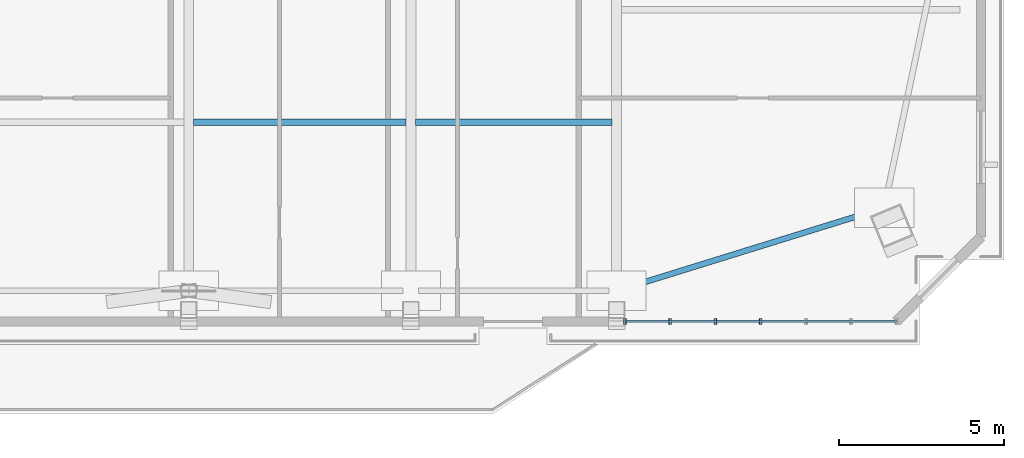
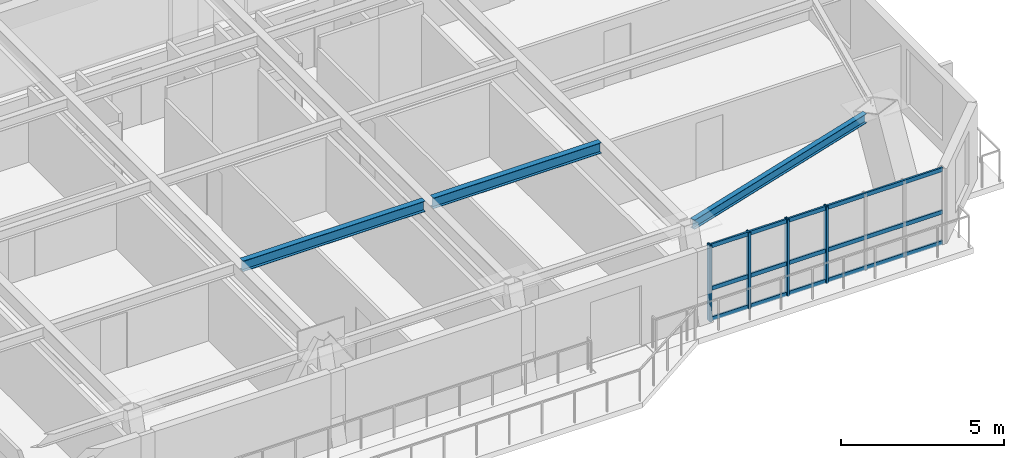
# One storey, part 4 of 18: 7 members, 3 beams, 1 element without a shape of its own.
"""IFC4 building model written with IfcOpenShell, lengths in metres."""

import ifcopenshell
import ifcopenshell.guid

model = None  # the IFC model being written
_history = None  # IfcOwnerHistory: only IFC2X3 demands one
_inside = {}  # id of a spatial element -> (the spatial element, [elements in it])
_under = {}  # id of a project, library or spatial element -> (it, [spatial elements below it])
_declared = {}  # id of a project -> (the project, [libraries it declares])
_typed = {}  # id of a type object -> (the type object, [elements of that type])
_made_of = {}  # id of a material, layer set ... -> (it, [elements and type objects made of it])


def new_model(schema):
    """Start an empty IFC model of exactly this schema.

    Asked for "IFC4X3", IfcOpenShell would pick the latest addendum, in which some entities
    have other attributes; the version numbers below select the first issue.
    IFC2X3 requires an IfcOwnerHistory on every rooted entity: one is made here for all.
    """
    global model, _history
    if schema == "IFC4X3":
        model = ifcopenshell.file(schema_version=(4, 3, 0, 0))
    else:
        model = ifcopenshell.file(schema=schema)
    _inside.clear()
    _under.clear()
    _declared.clear()
    _typed.clear()
    _made_of.clear()
    _history = None
    if model.schema == "IFC2X3":
        org = make("IfcOrganization", Name="unknown")
        user = make(
            "IfcPersonAndOrganization",
            ThePerson=make("IfcPerson", FamilyName="unknown"),
            TheOrganization=org,
        )
        app = make(
            "IfcApplication",
            ApplicationDeveloper=org,
            Version="unknown",
            ApplicationFullName="unknown",
            ApplicationIdentifier="unknown",
        )
        _history = make(
            "IfcOwnerHistory",
            OwningUser=user,
            OwningApplication=app,
            ChangeAction="ADDED",
            CreationDate=0,
        )
    return model


def make(cls, **values):
    """One entity of the class cls with the attributes given. An attribute that is None is left unset."""
    return model.create_entity(
        cls, **{name: value for name, value in values.items() if value is not None}
    )


def rooted(cls, **values):
    """An entity with a GlobalId (a new one), such as an element, a storey or a relation."""
    return make(cls, GlobalId=ifcopenshell.guid.new(), OwnerHistory=_history, **values)


def si_unit(unit_type, name, prefix=None):
    """IfcSIUnit, for example si_unit("LENGTHUNIT", "METRE", prefix="MILLI")."""
    return make("IfcSIUnit", UnitType=unit_type, Prefix=prefix, Name=name)


def assignment(units):
    """IfcUnitAssignment: the units of a project."""
    return None if units is None else make("IfcUnitAssignment", Units=units)


def point(xyz):
    """IfcCartesianPoint."""
    return None if xyz is None else make("IfcCartesianPoint", Coordinates=xyz)


def direction(xyz):
    """IfcDirection."""
    return None if xyz is None else make("IfcDirection", DirectionRatios=xyz)


def frame(location, z_axis=None, x_axis=None):
    """IfcAxis2Placement3D, a coordinate frame: its origin and axes. An axis left out is left unset."""
    return make(
        "IfcAxis2Placement3D",
        Location=point(location),
        Axis=direction(z_axis),
        RefDirection=direction(x_axis),
    )


def frame_2d(location, x_axis=None):
    """IfcAxis2Placement2D, a coordinate frame in the plane: its origin and x axis."""
    return make(
        "IfcAxis2Placement2D", Location=point(location), RefDirection=direction(x_axis)
    )


def origin():
    """The frame at (0, 0, 0) with its axes left unset."""
    return frame((0.0, 0.0, 0.0))


def origin_2d():
    """The frame at (0, 0) in the plane with its x axis left unset."""
    return frame_2d((0.0, 0.0))


def place(relative_to, where):
    """IfcLocalPlacement: puts the frame where relative to a parent placement (None: the world)."""
    return make(
        "IfcLocalPlacement", PlacementRelTo=relative_to, RelativePlacement=where
    )


def context(
    kind, dimensions, precision=None, world=None, true_north=None, identifier=None
):
    """IfcGeometricRepresentationContext, for example the 3D "Model" context."""
    return make(
        "IfcGeometricRepresentationContext",
        ContextIdentifier=identifier,
        ContextType=kind,
        CoordinateSpaceDimension=dimensions,
        Precision=precision,
        WorldCoordinateSystem=world,
        TrueNorth=true_north,
    )


def subcontext(parent, identifier, kind, view, scale=None):
    """IfcGeometricRepresentationSubContext, for example "Body" below "Model"."""
    return make(
        "IfcGeometricRepresentationSubContext",
        ContextIdentifier=identifier,
        ContextType=kind,
        ParentContext=parent,
        TargetScale=scale,
        TargetView=view,
    )


def project(units=None, contexts=None):
    """IfcProject with its units and contexts."""
    return rooted(
        "IfcProject",
        Name="project",
        RepresentationContexts=contexts,
        UnitsInContext=assignment(units),
    )


def spatial(cls, under=None, at=None, **own):
    """A site, building, storey or space (cls), placed at a placement, below another one or the project."""
    s = rooted(cls, ObjectPlacement=at, **own)
    if under is not None:
        _under.setdefault(under.id(), (under, []))[1].append(s)
    return s


def profile(cls, at=None, kind="AREA", **sizes):
    """A parametric profile (cls). Its sizes go by their IFC names, for example OverallWidth=200.0."""
    return make(cls, ProfileType=kind, Position=at, **sizes)


def hollow_rectangle(**sizes):
    """IfcRectangleHollowProfileDef."""
    return profile("IfcRectangleHollowProfileDef", **sizes)


def i_section(**sizes):
    """IfcIShapeProfileDef."""
    return profile("IfcIShapeProfileDef", **sizes)


def extrude(swept, where, along, depth):
    """IfcExtrudedAreaSolid: the profile swept, set in the frame where, extruded along a direction by depth."""
    return make(
        "IfcExtrudedAreaSolid",
        SweptArea=swept,
        Position=where,
        ExtrudedDirection=direction(along),
        Depth=depth,
    )


def shape(context_of_items, identifier, shape_type, items):
    """IfcShapeRepresentation: the items that make up one representation, for example the "Body"."""
    return make(
        "IfcShapeRepresentation",
        ContextOfItems=context_of_items,
        RepresentationIdentifier=identifier,
        RepresentationType=shape_type,
        Items=items,
    )


def source(mapping_origin, context_of_items, identifier, shape_type, items):
    """IfcRepresentationMap: a shape defined once, which mapped items show again and again."""
    return make(
        "IfcRepresentationMap",
        MappingOrigin=mapping_origin,
        MappedRepresentation=shape(context_of_items, identifier, shape_type, items),
    )


def transform(
    local_origin,
    x_axis=None,
    y_axis=None,
    z_axis=None,
    scale=None,
    scale2=None,
    scale3=None,
    uniform=True,
):
    """IfcCartesianTransformationOperator3D, or its non-uniform kind. x_axis, y_axis, z_axis: its Axis1, 2, 3."""
    if uniform:
        return make(
            "IfcCartesianTransformationOperator3D",
            Axis1=direction(x_axis),
            Axis2=direction(y_axis),
            LocalOrigin=point(local_origin),
            Scale=scale,
            Axis3=direction(z_axis),
        )
    return make(
        "IfcCartesianTransformationOperator3DnonUniform",
        Axis1=direction(x_axis),
        Axis2=direction(y_axis),
        LocalOrigin=point(local_origin),
        Scale=scale,
        Axis3=direction(z_axis),
        Scale2=scale2,
        Scale3=scale3,
    )


def mapped(mapping_source, mapping_target):
    """IfcMappedItem: shows the shape of a source again, moved by a transform."""
    return make(
        "IfcMappedItem", MappingSource=mapping_source, MappingTarget=mapping_target
    )


def material(Name=None, Category=None):
    """IfcMaterial."""
    return make("IfcMaterial", Name=Name, Category=Category)


def layer(
    of_material, thickness, ventilated=None, Name=None, Category=None, Priority=None
):
    """IfcMaterialLayer: one layer of a wall or slab, of a material (None: an air gap)."""
    return make(
        "IfcMaterialLayer",
        Material=of_material,
        LayerThickness=thickness,
        IsVentilated=ventilated,
        Name=Name,
        Category=Category,
        Priority=Priority,
    )


def layer_set(layers, Name=None):
    """IfcMaterialLayerSet."""
    return make("IfcMaterialLayerSet", MaterialLayers=layers, LayerSetName=Name)


def material_profile(
    of_material, cross_section, Name=None, Category=None, Priority=None
):
    """IfcMaterialProfile: a cross section and its material."""
    return make(
        "IfcMaterialProfile",
        Name=Name,
        Material=of_material,
        Profile=cross_section,
        Priority=Priority,
        Category=Category,
    )


def profile_set(profiles, Name=None, composite=None):
    """IfcMaterialProfileSet."""
    return make(
        "IfcMaterialProfileSet",
        Name=Name,
        MaterialProfiles=profiles,
        CompositeProfile=composite,
    )


def made_of(thing, what):
    """Note that an element or type object is made of a material, layer set ...; save() writes the relation."""
    if what is not None:
        _made_of.setdefault(what.id(), (what, []))[1].append(thing)
    return thing


def type_object(cls, material=None, **own):
    """A type object (cls), such as IfcWallType, which elements share."""
    return made_of(rooted(cls, **own), material)


def element(
    cls,
    number,
    at=None,
    inside=None,
    cuts=None,
    type_object=None,
    material=None,
    context=None,
    identifier="Body",
    shape_type=None,
    held_by="IfcProductDefinitionShape",
    body=None,
    shapes=None,
    **own,
):
    """One element of the class cls, such as IfcWall. Its Tag is "e" and its number.

    at: its placement. inside: the storey or other place that contains it. cuts: it is an
    opening in that element (IfcRelVoidsElement). A single representation is given by context,
    identifier, shape_type and body (its items); several are given by shapes. held_by: the class
    of the entity that holds the representations. save() writes the other relations.
    """
    e = rooted(cls, Tag="e%d" % number, ObjectPlacement=at, **own)
    if body is not None:
        shapes = [shape(context, identifier, shape_type, body)]
    if shapes is not None:
        e.Representation = make(held_by, Representations=shapes)
    if inside is not None:
        _inside.setdefault(inside.id(), (inside, []))[1].append(e)
    if cuts is not None:
        rooted(
            "IfcRelVoidsElement", RelatingBuildingElement=cuts, RelatedOpeningElement=e
        )
    if type_object is not None:
        _typed.setdefault(type_object.id(), (type_object, []))[1].append(e)
    return made_of(e, material)


def aggregate(whole, parts):
    """IfcRelAggregates: a whole, such as a stair, and the parts it consists of."""
    return rooted("IfcRelAggregates", RelatingObject=whole, RelatedObjects=parts)


def save(model, path):
    """Write the relations noted so far, then the file.

    IfcRelAggregates (storeys below a building ...), IfcRelContainedInSpatialStructure (elements
    in a storey), IfcRelDefinesByType, IfcRelAssociatesMaterial and IfcRelDeclares: one each for
    every whole, place, type object, material and project.
    """
    for whole, parts in _under.values():
        aggregate(whole, parts)
    for where, things in _inside.values():
        rooted(
            "IfcRelContainedInSpatialStructure",
            RelatedElements=things,
            RelatingStructure=where,
        )
    for kind, things in _typed.values():
        rooted("IfcRelDefinesByType", RelatedObjects=things, RelatingType=kind)
    for what, things in _made_of.values():
        rooted("IfcRelAssociatesMaterial", RelatedObjects=things, RelatingMaterial=what)
    for by, libraries in _declared.values():
        rooted("IfcRelDeclares", RelatingContext=by, RelatedDefinitions=libraries)
    model.write(path)


model = new_model("IFC4")

# Units and contexts
model_context = context("Model", 3, precision=1e-05, world=origin(), true_north=direction((0.0, 1.0)))
body_context = subcontext(model_context, "Body", "Model", "MODEL_VIEW")
ifc_project = project(units=[si_unit("LENGTHUNIT", "METRE"), si_unit("AREAUNIT", "SQUARE_METRE"), si_unit("VOLUMEUNIT", "CUBIC_METRE"), si_unit("PLANEANGLEUNIT", "RADIAN"), si_unit("MASSUNIT", "GRAM", prefix="KILO")], contexts=[model_context])

# Site, building, storey
site_placement = place(None, origin())
site = spatial("IfcSite", under=ifc_project, at=site_placement, CompositionType="ELEMENT")
building_placement = place(site_placement, origin())
building = spatial("IfcBuilding", under=site, at=building_placement, Name="Giltprow Tower", CompositionType="ELEMENT")
storey_placement = place(building_placement, frame((0.0, 0.0, 265.5)))
storey = spatial("IfcBuildingStorey", under=building, at=storey_placement, Name="L68", CompositionType="ELEMENT", Elevation=265.5)

# Beams
ifc_material_1 = material(Name="Structural steel Q355B", Category="steel")
ifc_material_profile_1 = material_profile(ifc_material_1, i_section(OverallWidth=0.199951171875, OverallDepth=0.39990234375, WebThickness=0.008056640625, FlangeThickness=0.012939453125, at=origin_2d()), Name="HN 400x200x8x13")
ifc_profile_set_1 = profile_set([ifc_material_profile_1], Name="Structural steel Q355B")
beam_type_1 = type_object("IfcBeamType", Name="BM-JOIST-HN400", PredefinedType="JOIST", material=ifc_profile_set_1)
shared_shape_1 = source(origin(), body_context, "Body", "SweptSolid", [
    extrude(i_section(OverallWidth=0.199951171875, OverallDepth=0.39990234375, WebThickness=0.008056640625, FlangeThickness=0.012939453125, at=origin_2d()), origin(), (0.0, 0.0, 1.0), 6.4599609375),
])
beam_1_placement = place(storey_placement, frame((37.695068359375, 22.094970703125, 2.985107421875), z_axis=(1.0, 0.0, 0.0), x_axis=(0.0, 1.0, 0.0)))
element("IfcBeam", 1, at=beam_1_placement, inside=storey, type_object=beam_type_1, Name="L68 Composite Floor Joist 1-3", PredefinedType="JOIST", context=body_context, shape_type="MappedRepresentation", body=[
    mapped(shared_shape_1, transform((0.0, 0.0, 0.0), x_axis=(1.0, 0.0, 0.0), y_axis=(0.0, 1.0, 0.0), z_axis=(0.0, 0.0, 1.0), scale=1.0)),
])
shared_shape_2 = source(origin(), body_context, "Body", "SweptSolid", [
    extrude(i_section(OverallWidth=0.199951171875, OverallDepth=0.39990234375, WebThickness=0.008056640625, FlangeThickness=0.012939453125, at=origin_2d()), origin(), (0.0, 0.0, 1.0), 5.9599609375),
])
beam_2_placement = place(storey_placement, frame((44.445068359375, 22.094970703125, 2.985107421875), z_axis=(1.0, 0.0, 0.0), x_axis=(0.0, 1.0, 0.0)))
element("IfcBeam", 2, at=beam_2_placement, inside=storey, type_object=beam_type_1, Name="L68 Composite Floor Joist 1-4", PredefinedType="JOIST", context=body_context, shape_type="MappedRepresentation", body=[
    mapped(shared_shape_2, transform((0.0, 0.0, 0.0), x_axis=(1.0, 0.0, 0.0), y_axis=(0.0, 1.0, 0.0), z_axis=(0.0, 0.0, 1.0), scale=1.0)),
])
ifc_material_profile_2 = material_profile(ifc_material_1, i_section(OverallWidth=0.175048828125, OverallDepth=0.35009765625, WebThickness=0.007080078125, FlangeThickness=0.010986328125, at=origin_2d()), Name="HN 350x175x7x11")
ifc_profile_set_2 = profile_set([ifc_material_profile_2], Name="Structural steel Q355B")
beam_type_2 = type_object("IfcBeamType", Name="BM-SPAN-HN350", PredefinedType="SPANDREL", material=ifc_profile_set_2)
shared_shape_3 = source(origin(), body_context, "Body", "SweptSolid", [
    extrude(i_section(OverallWidth=0.175048828125, OverallDepth=0.35009765625, WebThickness=0.007080078125, FlangeThickness=0.010986328125, at=origin_2d()), origin(), (0.0, 0.0, 1.0), 7.796875),
])
beam_3_placement = place(storey_placement, frame((50.77392578125, 17.0458984375, 3.010009765625), z_axis=(0.955138992511, 0.29615790549, 0.0), x_axis=(-0.29615790549, 0.955138992511, 0.0)))
element("IfcBeam", 3, at=beam_3_placement, inside=storey, type_object=beam_type_2, Name="L68 Perimeter Spandrel Beam S4-MC_SE", PredefinedType="SPANDREL", context=body_context, shape_type="MappedRepresentation", body=[
    mapped(shared_shape_3, transform((0.0, 0.0, 0.0), x_axis=(1.0, 0.0, 0.0), y_axis=(0.0, 1.0, 0.0), z_axis=(0.0, 0.0, 1.0), scale=1.0)),
])

# Curtain wall, members
ifc_material_2 = material(Name="Anodized bronze", Category="metal")
ifc_layer = layer(ifc_material_2, 0.179931640625, Name="Anodized bronze")
ifc_layer_set = layer_set([ifc_layer], Name="Anodized bronze")
curtain_wall_type = type_object("IfcCurtainWallType", Name="CW-RES-SKY", PredefinedType="NOTDEFINED", material=ifc_layer_set)
curtain_wall_placement = place(storey_placement, origin())
curtain_wall = element("IfcCurtainWall", 4, at=curtain_wall_placement, inside=storey, type_object=curtain_wall_type, Name="L68 South Recessed Curtain Wall 6", PredefinedType="NOTDEFINED")
ifc_material_profile_3 = material_profile(ifc_material_2, hollow_rectangle(XDim=0.074951171875, YDim=0.179931640625, WallThickness=0.008056640625, at=origin_2d()), Name="RHS 180x75x8")
ifc_profile_set_3 = profile_set([ifc_material_profile_3], Name="Anodized bronze")
member_type_1 = type_object("IfcMemberType", Name="CW-MULLION-180x75", PredefinedType="MULLION", material=ifc_profile_set_3)
shared_shape_4 = source(origin(), body_context, "Body", "SweptSolid", [
    extrude(hollow_rectangle(XDim=0.074951171875, YDim=0.179931640625, WallThickness=0.008056640625, at=origin_2d()), origin(), (0.0, 0.0, 1.0), 2.8701171875),
])
member_1_placement = place(storey_placement, frame((50.800048828125, 16.044921875, -0.02001953125), z_axis=(0.0, 0.0, 1.0), x_axis=(1.0, 0.0, 0.0)))
member_1 = element("IfcMember", 5, at=member_1_placement, type_object=member_type_1, Name="L68 South Recessed Curtain Wall 6 Mullion 1", PredefinedType="MULLION", context=body_context, shape_type="MappedRepresentation", body=[
    mapped(shared_shape_4, transform((0.0, 0.0, 0.0), x_axis=(1.0, 0.0, 0.0), y_axis=(0.0, 1.0, 0.0), z_axis=(0.0, 0.0, 1.0), scale=1.0)),
])
member_2_placement = place(storey_placement, frame((52.175048828125, 16.044921875, -0.02001953125), z_axis=(0.0, 0.0, 1.0), x_axis=(1.0, 0.0, 0.0)))
member_2 = element("IfcMember", 6, at=member_2_placement, type_object=member_type_1, Name="L68 South Recessed Curtain Wall 6 Mullion 2", PredefinedType="MULLION", context=body_context, shape_type="MappedRepresentation", body=[
    mapped(shared_shape_4, transform((0.0, 0.0, 0.0), x_axis=(1.0, 0.0, 0.0), y_axis=(0.0, 1.0, 0.0), z_axis=(0.0, 0.0, 1.0), scale=1.0)),
])
member_3_placement = place(storey_placement, frame((53.551025390625, 16.044921875, -0.02001953125), z_axis=(0.0, 0.0, 1.0), x_axis=(1.0, 0.0, 0.0)))
member_3 = element("IfcMember", 7, at=member_3_placement, type_object=member_type_1, Name="L68 South Recessed Curtain Wall 6 Mullion 3", PredefinedType="MULLION", context=body_context, shape_type="MappedRepresentation", body=[
    mapped(shared_shape_4, transform((0.0, 0.0, 0.0), x_axis=(1.0, 0.0, 0.0), y_axis=(0.0, 1.0, 0.0), z_axis=(0.0, 0.0, 1.0), scale=1.0)),
])
member_4_placement = place(storey_placement, frame((54.926025390625, 16.044921875, -0.02001953125), z_axis=(0.0, 0.0, 1.0), x_axis=(1.0, 0.0, 0.0)))
member_4 = element("IfcMember", 8, at=member_4_placement, type_object=member_type_1, Name="L68 South Recessed Curtain Wall 6 Mullion 4", PredefinedType="MULLION", context=body_context, shape_type="MappedRepresentation", body=[
    mapped(shared_shape_4, transform((0.0, 0.0, 0.0), x_axis=(1.0, 0.0, 0.0), y_axis=(0.0, 1.0, 0.0), z_axis=(0.0, 0.0, 1.0), scale=1.0)),
])
ifc_material_profile_4 = material_profile(ifc_material_2, hollow_rectangle(XDim=0.06494140625, YDim=0.14990234375, WallThickness=0.006103515625, at=origin_2d()), Name="RHS 150x65x6")
ifc_profile_set_4 = profile_set([ifc_material_profile_4], Name="Anodized bronze")
member_type_2 = type_object("IfcMemberType", Name="CW-TRANSOM-150x65", PredefinedType="USERDEFINED", material=ifc_profile_set_4)
shared_shape_5 = source(origin(), body_context, "Body", "SweptSolid", [
    extrude(hollow_rectangle(XDim=0.06494140625, YDim=0.14990234375, WallThickness=0.006103515625, at=origin_2d()), origin(), (0.0, 0.0, 1.0), 8.2529296875),
])
member_5_placement = place(storey_placement, frame((50.800048828125, 16.044921875, 0.0400390625), z_axis=(1.0, 0.0, 0.0), x_axis=(0.0, 1.0, 0.0)))
member_5 = element("IfcMember", 9, at=member_5_placement, type_object=member_type_2, Name="L68 South Recessed Curtain Wall 6 Transom 1", ObjectType="TRANSOM", PredefinedType="USERDEFINED", context=body_context, shape_type="MappedRepresentation", body=[
    mapped(shared_shape_5, transform((0.0, 0.0, 0.0), x_axis=(1.0, 0.0, 0.0), y_axis=(0.0, 1.0, 0.0), z_axis=(0.0, 0.0, 1.0), scale=1.0)),
])
member_6_placement = place(storey_placement, frame((50.800048828125, 16.044921875, 1.181884765625), z_axis=(1.0, 0.0, 0.0), x_axis=(0.0, 1.0, 0.0)))
member_6 = element("IfcMember", 10, at=member_6_placement, type_object=member_type_2, Name="L68 South Recessed Curtain Wall 6 Transom 2", ObjectType="TRANSOM", PredefinedType="USERDEFINED", context=body_context, shape_type="MappedRepresentation", body=[
    mapped(shared_shape_5, transform((0.0, 0.0, 0.0), x_axis=(1.0, 0.0, 0.0), y_axis=(0.0, 1.0, 0.0), z_axis=(0.0, 0.0, 1.0), scale=1.0)),
])
member_7_placement = place(storey_placement, frame((50.800048828125, 16.044921875, 2.77490234375), z_axis=(1.0, 0.0, 0.0), x_axis=(0.0, 1.0, 0.0)))
member_7 = element("IfcMember", 11, at=member_7_placement, type_object=member_type_2, Name="L68 South Recessed Curtain Wall 6 Transom 3", ObjectType="TRANSOM", PredefinedType="USERDEFINED", context=body_context, shape_type="MappedRepresentation", body=[
    mapped(shared_shape_5, transform((0.0, 0.0, 0.0), x_axis=(1.0, 0.0, 0.0), y_axis=(0.0, 1.0, 0.0), z_axis=(0.0, 0.0, 1.0), scale=1.0)),
])
aggregate(curtain_wall, [member_1, member_2, member_3, member_4, member_5, member_6, member_7])

save(model, "model.ifc")
